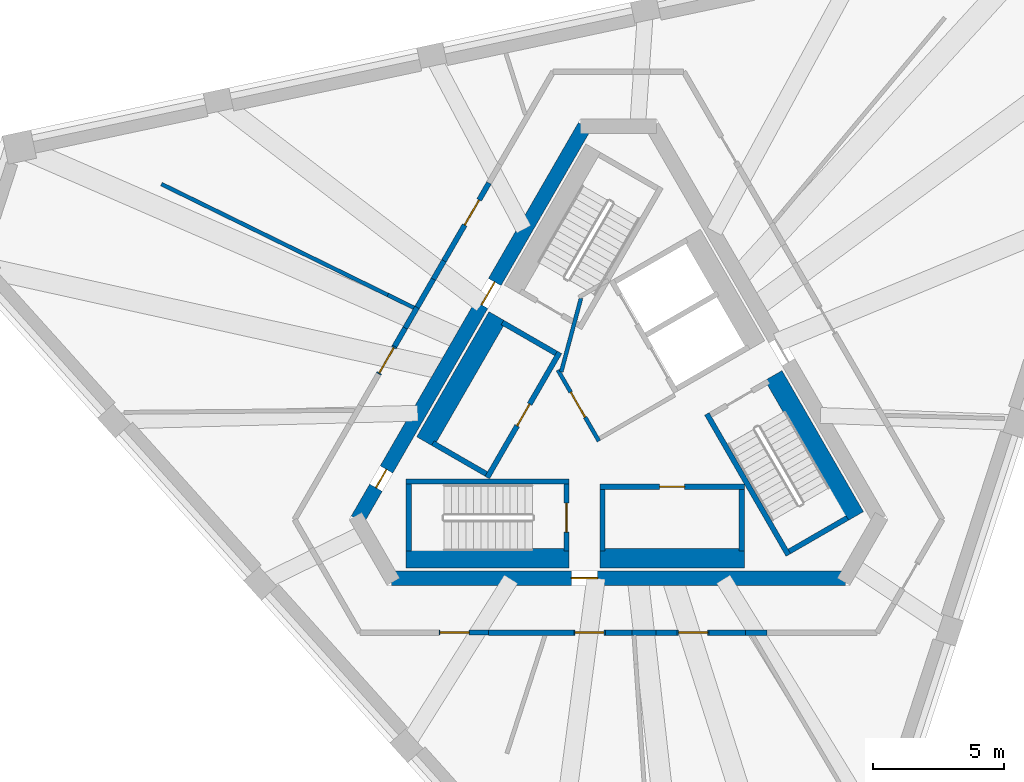
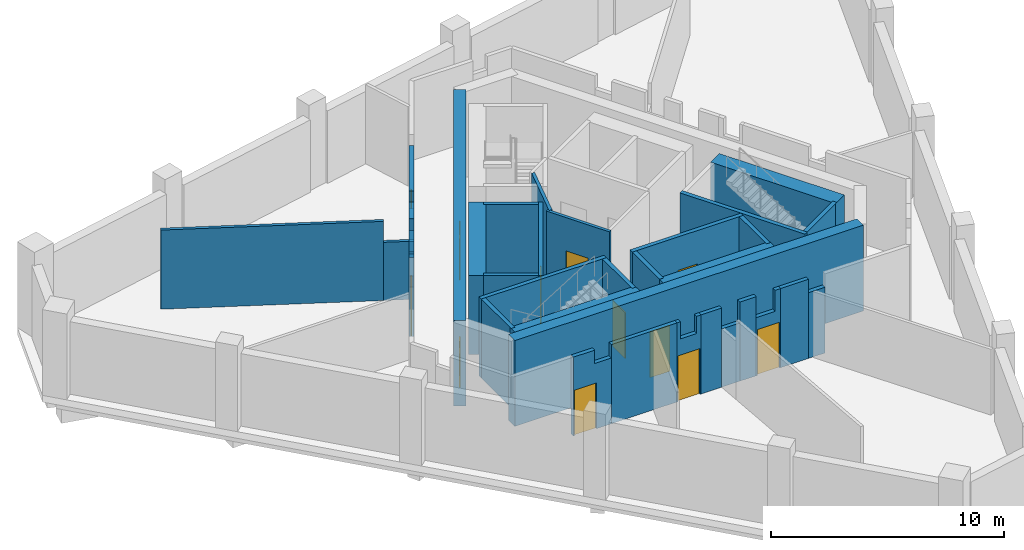
# One storey, part 2 of 5: 36 walls, 12 doors, 12 openings.
"""IFC4 building model written with IfcOpenShell, lengths in metres."""

import ifcopenshell
import ifcopenshell.guid

model = None  # the IFC model being written
_history = None  # IfcOwnerHistory: only IFC2X3 demands one
_inside = {}  # id of a spatial element -> (the spatial element, [elements in it])
_under = {}  # id of a project, library or spatial element -> (it, [spatial elements below it])
_declared = {}  # id of a project -> (the project, [libraries it declares])
_typed = {}  # id of a type object -> (the type object, [elements of that type])
_made_of = {}  # id of a material, layer set ... -> (it, [elements and type objects made of it])


def new_model(schema):
    """Start an empty IFC model of exactly this schema.

    Asked for "IFC4X3", IfcOpenShell would pick the latest addendum, in which some entities
    have other attributes; the version numbers below select the first issue.
    IFC2X3 requires an IfcOwnerHistory on every rooted entity: one is made here for all.
    """
    global model, _history
    if schema == "IFC4X3":
        model = ifcopenshell.file(schema_version=(4, 3, 0, 0))
    else:
        model = ifcopenshell.file(schema=schema)
    _inside.clear()
    _under.clear()
    _declared.clear()
    _typed.clear()
    _made_of.clear()
    _history = None
    if model.schema == "IFC2X3":
        org = make("IfcOrganization", Name="unknown")
        user = make(
            "IfcPersonAndOrganization",
            ThePerson=make("IfcPerson", FamilyName="unknown"),
            TheOrganization=org,
        )
        app = make(
            "IfcApplication",
            ApplicationDeveloper=org,
            Version="unknown",
            ApplicationFullName="unknown",
            ApplicationIdentifier="unknown",
        )
        _history = make(
            "IfcOwnerHistory",
            OwningUser=user,
            OwningApplication=app,
            ChangeAction="ADDED",
            CreationDate=0,
        )
    return model


def make(cls, **values):
    """One entity of the class cls with the attributes given. An attribute that is None is left unset."""
    return model.create_entity(
        cls, **{name: value for name, value in values.items() if value is not None}
    )


def rooted(cls, **values):
    """An entity with a GlobalId (a new one), such as an element, a storey or a relation."""
    return make(cls, GlobalId=ifcopenshell.guid.new(), OwnerHistory=_history, **values)


def si_unit(unit_type, name, prefix=None):
    """IfcSIUnit, for example si_unit("LENGTHUNIT", "METRE", prefix="MILLI")."""
    return make("IfcSIUnit", UnitType=unit_type, Prefix=prefix, Name=name)


def assignment(units):
    """IfcUnitAssignment: the units of a project."""
    return None if units is None else make("IfcUnitAssignment", Units=units)


def point(xyz):
    """IfcCartesianPoint."""
    return None if xyz is None else make("IfcCartesianPoint", Coordinates=xyz)


def direction(xyz):
    """IfcDirection."""
    return None if xyz is None else make("IfcDirection", DirectionRatios=xyz)


def frame(location, z_axis=None, x_axis=None):
    """IfcAxis2Placement3D, a coordinate frame: its origin and axes. An axis left out is left unset."""
    return make(
        "IfcAxis2Placement3D",
        Location=point(location),
        Axis=direction(z_axis),
        RefDirection=direction(x_axis),
    )


def frame_2d(location, x_axis=None):
    """IfcAxis2Placement2D, a coordinate frame in the plane: its origin and x axis."""
    return make(
        "IfcAxis2Placement2D", Location=point(location), RefDirection=direction(x_axis)
    )


def origin():
    """The frame at (0, 0, 0) with its axes left unset."""
    return frame((0.0, 0.0, 0.0))


def place(relative_to, where):
    """IfcLocalPlacement: puts the frame where relative to a parent placement (None: the world)."""
    return make(
        "IfcLocalPlacement", PlacementRelTo=relative_to, RelativePlacement=where
    )


def context(
    kind, dimensions, precision=None, world=None, true_north=None, identifier=None
):
    """IfcGeometricRepresentationContext, for example the 3D "Model" context."""
    return make(
        "IfcGeometricRepresentationContext",
        ContextIdentifier=identifier,
        ContextType=kind,
        CoordinateSpaceDimension=dimensions,
        Precision=precision,
        WorldCoordinateSystem=world,
        TrueNorth=true_north,
    )


def subcontext(parent, identifier, kind, view, scale=None):
    """IfcGeometricRepresentationSubContext, for example "Body" below "Model"."""
    return make(
        "IfcGeometricRepresentationSubContext",
        ContextIdentifier=identifier,
        ContextType=kind,
        ParentContext=parent,
        TargetScale=scale,
        TargetView=view,
    )


def project(units=None, contexts=None):
    """IfcProject with its units and contexts."""
    return rooted(
        "IfcProject",
        Name="project",
        RepresentationContexts=contexts,
        UnitsInContext=assignment(units),
    )


def spatial(cls, under=None, at=None, **own):
    """A site, building, storey or space (cls), placed at a placement, below another one or the project."""
    s = rooted(cls, ObjectPlacement=at, **own)
    if under is not None:
        _under.setdefault(under.id(), (under, []))[1].append(s)
    return s


def polyline(points):
    """IfcPolyline through the points."""
    return make("IfcPolyline", Points=[point(p) for p in points])


def profile(cls, at=None, kind="AREA", **sizes):
    """A parametric profile (cls). Its sizes go by their IFC names, for example OverallWidth=200.0."""
    return make(cls, ProfileType=kind, Position=at, **sizes)


def rectangle(**sizes):
    """IfcRectangleProfileDef."""
    return profile("IfcRectangleProfileDef", **sizes)


def outline(outer, holes=None, kind="AREA"):
    """IfcArbitraryClosedProfileDef: a profile drawn as a closed curve; with holes, ...WithVoids."""
    if holes is None:
        return make("IfcArbitraryClosedProfileDef", ProfileType=kind, OuterCurve=outer)
    return make(
        "IfcArbitraryProfileDefWithVoids",
        ProfileType=kind,
        OuterCurve=outer,
        InnerCurves=holes,
    )


def extrude(swept, where, along, depth):
    """IfcExtrudedAreaSolid: the profile swept, set in the frame where, extruded along a direction by depth."""
    return make(
        "IfcExtrudedAreaSolid",
        SweptArea=swept,
        Position=where,
        ExtrudedDirection=direction(along),
        Depth=depth,
    )


def shape(context_of_items, identifier, shape_type, items):
    """IfcShapeRepresentation: the items that make up one representation, for example the "Body"."""
    return make(
        "IfcShapeRepresentation",
        ContextOfItems=context_of_items,
        RepresentationIdentifier=identifier,
        RepresentationType=shape_type,
        Items=items,
    )


def material(Name=None, Category=None):
    """IfcMaterial."""
    return make("IfcMaterial", Name=Name, Category=Category)


def layer(
    of_material, thickness, ventilated=None, Name=None, Category=None, Priority=None
):
    """IfcMaterialLayer: one layer of a wall or slab, of a material (None: an air gap)."""
    return make(
        "IfcMaterialLayer",
        Material=of_material,
        LayerThickness=thickness,
        IsVentilated=ventilated,
        Name=Name,
        Category=Category,
        Priority=Priority,
    )


def layer_set(layers, Name=None):
    """IfcMaterialLayerSet."""
    return make("IfcMaterialLayerSet", MaterialLayers=layers, LayerSetName=Name)


def made_of(thing, what):
    """Note that an element or type object is made of a material, layer set ...; save() writes the relation."""
    if what is not None:
        _made_of.setdefault(what.id(), (what, []))[1].append(thing)
    return thing


def type_object(cls, material=None, **own):
    """A type object (cls), such as IfcWallType, which elements share."""
    return made_of(rooted(cls, **own), material)


def element(
    cls,
    number,
    at=None,
    inside=None,
    cuts=None,
    type_object=None,
    material=None,
    context=None,
    identifier="Body",
    shape_type=None,
    held_by="IfcProductDefinitionShape",
    body=None,
    shapes=None,
    **own,
):
    """One element of the class cls, such as IfcWall. Its Tag is "e" and its number.

    at: its placement. inside: the storey or other place that contains it. cuts: it is an
    opening in that element (IfcRelVoidsElement). A single representation is given by context,
    identifier, shape_type and body (its items); several are given by shapes. held_by: the class
    of the entity that holds the representations. save() writes the other relations.
    """
    e = rooted(cls, Tag="e%d" % number, ObjectPlacement=at, **own)
    if body is not None:
        shapes = [shape(context, identifier, shape_type, body)]
    if shapes is not None:
        e.Representation = make(held_by, Representations=shapes)
    if inside is not None:
        _inside.setdefault(inside.id(), (inside, []))[1].append(e)
    if cuts is not None:
        rooted(
            "IfcRelVoidsElement", RelatingBuildingElement=cuts, RelatedOpeningElement=e
        )
    if type_object is not None:
        _typed.setdefault(type_object.id(), (type_object, []))[1].append(e)
    return made_of(e, material)


def fill(opening, filler):
    """IfcRelFillsElement: the door or window that sits in an opening."""
    return rooted(
        "IfcRelFillsElement",
        RelatingOpeningElement=opening,
        RelatedBuildingElement=filler,
    )


def aggregate(whole, parts):
    """IfcRelAggregates: a whole, such as a stair, and the parts it consists of."""
    return rooted("IfcRelAggregates", RelatingObject=whole, RelatedObjects=parts)


def save(model, path):
    """Write the relations noted so far, then the file.

    IfcRelAggregates (storeys below a building ...), IfcRelContainedInSpatialStructure (elements
    in a storey), IfcRelDefinesByType, IfcRelAssociatesMaterial and IfcRelDeclares: one each for
    every whole, place, type object, material and project.
    """
    for whole, parts in _under.values():
        aggregate(whole, parts)
    for where, things in _inside.values():
        rooted(
            "IfcRelContainedInSpatialStructure",
            RelatedElements=things,
            RelatingStructure=where,
        )
    for kind, things in _typed.values():
        rooted("IfcRelDefinesByType", RelatedObjects=things, RelatingType=kind)
    for what, things in _made_of.values():
        rooted("IfcRelAssociatesMaterial", RelatedObjects=things, RelatingMaterial=what)
    for by, libraries in _declared.values():
        rooted("IfcRelDeclares", RelatingContext=by, RelatedDefinitions=libraries)
    model.write(path)


model = new_model("IFC4")

# Units and contexts
model_context = context("Model", 3, precision=1e-05, world=origin(), true_north=direction((0.0, 1.0)))
body_context = subcontext(model_context, "Body", "Model", "MODEL_VIEW")
ifc_project = project(units=[si_unit("LENGTHUNIT", "METRE"), si_unit("AREAUNIT", "SQUARE_METRE"), si_unit("VOLUMEUNIT", "CUBIC_METRE"), si_unit("PLANEANGLEUNIT", "RADIAN"), si_unit("MASSUNIT", "GRAM", prefix="KILO")], contexts=[model_context])

# Site, building, storey
site_placement = place(None, origin())
site = spatial("IfcSite", under=ifc_project, at=site_placement, CompositionType="ELEMENT")
building_placement = place(site_placement, origin())
building = spatial("IfcBuilding", under=site, at=building_placement, Name="Tramontana Tower", CompositionType="ELEMENT")
storey_placement = place(building_placement, frame((0.0, 0.0, 361.39990234375)))
storey = spatial("IfcBuildingStorey", under=building, at=storey_placement, Name="L83", CompositionType="ELEMENT", Elevation=361.39990234375)

# Wall, openings, doors
ifc_material_1 = material(Name="Concrete 70 MPa", Category="concrete")
ifc_layer_1 = layer(ifc_material_1, 0.550048828125)
ifc_layer_set_1 = layer_set([ifc_layer_1], Name="Core wall 550 70 MPa")
wall_type_1 = type_object("IfcWallType", Name="Core wall 550 70 MPa", PredefinedType="SHEAR", material=ifc_layer_set_1)
wall_1_placement = place(storey_placement, frame((-1.28466796875, 10.72509765625, 0.0), z_axis=(0.0, 0.0, 1.0), x_axis=(-0.499994590896, -0.86602852671, 0.0)))
wall_1 = element("IfcWall", 1, at=wall_1_placement, inside=storey, type_object=wall_type_1, Name="Core wall C1 L83", PredefinedType="SHEAR", context=body_context, shape_type="SweptSolid", body=[
    extrude(rectangle(XDim=17.291748046875, YDim=0.550048828125, at=frame_2d((8.64599609375, 0.0))), origin(), (0.0, 0.0, 1.0), 4.5),
])
opening_1_placement = place(wall_1_placement, frame((6.850830078125, 0.0, 0.0)))
opening_1 = element("IfcOpeningElement", 2, at=opening_1_placement, cuts=wall_1, Name="Opening RG1", PredefinedType="OPENING", context=body_context, shape_type="SweptSolid", body=[
    extrude(rectangle(XDim=1.0, YDim=2.39990234375, at=frame_2d((0.5, 1.199951171875))), frame((0.0, 0.284912109375, 0.0), z_axis=(0.0, -1.0, 0.0), x_axis=(1.0, 0.0, 0.0)), (0.0, 0.0, 1.0), 0.570068359375),
])
opening_2_placement = place(wall_1_placement, frame((15.0888671875, 0.0, 0.0)))
opening_2 = element("IfcOpeningElement", 3, at=opening_2_placement, cuts=wall_1, Name="Opening PD1", PredefinedType="OPENING", context=body_context, shape_type="SweptSolid", body=[
    extrude(rectangle(XDim=0.800048828125, YDim=2.10009765625, at=frame_2d((0.39990234375, 1.050048828125))), frame((0.0, 0.284912109375, 0.0), z_axis=(0.0, -1.0, 0.0), x_axis=(1.0, 0.0, 0.0)), (0.0, 0.0, 1.0), 0.570068359375),
])
ifc_material_2 = material(Name="Painted steel", Category="steel")
door_type_1 = type_object("IfcDoorType", Name="CUPBOARD DOOR 800", OperationType="SINGLE_SWING_LEFT", PredefinedType="DOOR", material=ifc_material_2)
door_1_placement = place(opening_2_placement, origin())
door_1 = element("IfcDoor", 4, at=door_1_placement, inside=storey, type_object=door_type_1, Name="Door PD1", OperationType="SINGLE_SWING_LEFT", OverallHeight=2.10009765625, OverallWidth=0.800048828125, PredefinedType="DOOR", context=body_context, shape_type="SweptSolid", body=[
    extrude(rectangle(XDim=0.800048828125, YDim=2.10009765625, at=frame_2d((0.39990234375, 1.050048828125))), frame((0.0, 0.02490234375, 0.0), z_axis=(0.0, -1.0, 0.0), x_axis=(1.0, 0.0, 0.0)), (0.0, 0.0, 1.0), 0.050048828125),
])
fill(opening_2, door_1)
ifc_material_3 = material(Name="Painted steel", Category="steel")
door_type_2 = type_object("IfcDoorType", Name="RING DOOR 1000", OperationType="SINGLE_SWING_LEFT", PredefinedType="DOOR", material=ifc_material_3)
door_2_placement = place(opening_1_placement, origin())
door_2 = element("IfcDoor", 5, at=door_2_placement, inside=storey, type_object=door_type_2, Name="Door RG1", OperationType="SINGLE_SWING_RIGHT", OverallHeight=2.39990234375, OverallWidth=1.0, PredefinedType="DOOR", context=body_context, shape_type="SweptSolid", body=[
    extrude(rectangle(XDim=1.0, YDim=2.39990234375, at=frame_2d((0.5, 1.199951171875))), frame((0.0, 0.02490234375, 0.0), z_axis=(0.0, -1.0, 0.0), x_axis=(1.0, 0.0, 0.0)), (0.0, 0.0, 1.0), 0.050048828125),
])
fill(opening_1, door_2)

# Wall, opening, door
wall_2_placement = place(storey_placement, frame((-8.645751953125, -6.47509765625, 0.0), z_axis=(0.0, 0.0, 1.0), x_axis=(1.0, 0.0, 0.0)))
wall_2 = element("IfcWall", 6, at=wall_2_placement, inside=storey, type_object=wall_type_1, Name="Core wall C3 L83", PredefinedType="SHEAR", context=body_context, shape_type="SweptSolid", body=[
    extrude(rectangle(XDim=17.29150390625, YDim=0.550048828125, at=frame_2d((8.645751953125, 0.0))), origin(), (0.0, 0.0, 1.0), 4.5),
])
opening_3_placement = place(wall_2_placement, frame((6.850830078125, 0.0, 0.0)))
opening_3 = element("IfcOpeningElement", 7, at=opening_3_placement, cuts=wall_2, Name="Opening RG2", PredefinedType="OPENING", context=body_context, shape_type="SweptSolid", body=[
    extrude(rectangle(XDim=1.0, YDim=2.39990234375, at=frame_2d((0.5, 1.199951171875))), frame((0.0, 0.284912109375, 0.0), z_axis=(0.0, -1.0, 0.0), x_axis=(1.0, 0.0, 0.0)), (0.0, 0.0, 1.0), 0.570068359375),
])
door_3_placement = place(opening_3_placement, origin())
door_3 = element("IfcDoor", 8, at=door_3_placement, inside=storey, type_object=door_type_2, Name="Door RG2", OperationType="SINGLE_SWING_LEFT", OverallHeight=2.39990234375, OverallWidth=1.0, PredefinedType="DOOR", context=body_context, shape_type="SweptSolid", body=[
    extrude(rectangle(XDim=1.0, YDim=2.39990234375, at=frame_2d((0.5, 1.199951171875))), frame((0.0, 0.02490234375, 0.0), z_axis=(0.0, -1.0, 0.0), x_axis=(1.0, 0.0, 0.0)), (0.0, 0.0, 1.0), 0.050048828125),
])
fill(opening_3, door_3)

# Walls
ifc_material_4 = material(Name="Blockwork", Category="masonry")
ifc_layer_2 = layer(ifc_material_4, 0.199951171875)
ifc_layer_set_2 = layer_set([ifc_layer_2], Name="ENTRY WALL 200")
wall_type_2 = type_object("IfcWallType", Name="ENTRY WALL 200", PredefinedType="SOLIDWALL", material=ifc_layer_set_2)
wall_3_placement = place(storey_placement, frame((5.6494140625, -8.550048828125, 0.0), z_axis=(0.0, 0.0, 1.0), x_axis=(-1.0, 0.0, 0.0)))
element("IfcWall", 9, at=wall_3_placement, inside=storey, type_object=wall_type_2, Name="Wall ew1-1", PredefinedType="SOLIDWALL", context=body_context, shape_type="SweptSolid", body=[
    extrude(rectangle(XDim=0.821044921875, YDim=0.199951171875, at=frame_2d((0.41064453125, 0.0))), origin(), (0.0, 0.0, 1.0), 3.4501953125),
])
wall_4_placement = place(storey_placement, frame((4.828369140625, -8.550048828125, 0.0), z_axis=(0.0, 0.0, 1.0), x_axis=(-1.0, 0.0, 0.0)))
element("IfcWall", 10, at=wall_4_placement, inside=storey, type_object=wall_type_2, Name="Wall ew1-2", PredefinedType="SOLIDWALL", context=body_context, shape_type="SweptSolid", body=[
    extrude(rectangle(XDim=1.384765625, YDim=0.199951171875, at=frame_2d((0.6923828125, 0.0))), origin(), (0.0, 0.0, 1.0), 4.150146484375),
])

# Wall, opening, door
wall_5_placement = place(storey_placement, frame((3.443603515625, -8.550048828125, 0.0), z_axis=(0.0, 0.0, 1.0), x_axis=(-1.0, 0.0, 0.0)))
wall_5 = element("IfcWall", 11, at=wall_5_placement, inside=storey, type_object=wall_type_2, Name="Wall ew1-3", PredefinedType="SOLIDWALL", context=body_context, shape_type="SweptSolid", body=[
    extrude(outline(polyline([(0.0, 0.0), (1.214599609375, 0.0), (1.214599609375, 3.050048828125), (0.270751953125, 3.050048828125), (0.270751953125, 4.150146484375), (0.0, 4.150146484375), (0.0, 0.0)])), frame((0.0, 0.10009765625, 0.0), z_axis=(0.0, -1.0, 0.0), x_axis=(1.0, 0.0, 0.0)), (0.0, 0.0, 1.0), 0.199951171875),
])
opening_4_placement = place(wall_5_placement, frame((0.050048828125, 0.0, 0.0)))
opening_4 = element("IfcOpeningElement", 12, at=opening_4_placement, cuts=wall_5, Name="Opening L83-07", PredefinedType="OPENING", context=body_context, shape_type="SweptSolid", body=[
    extrude(rectangle(XDim=1.10009765625, YDim=2.39990234375, at=frame_2d((0.550048828125, 1.199951171875))), frame((0.0, 0.10986328125, 0.0), z_axis=(0.0, -1.0, 0.0), x_axis=(1.0, 0.0, 0.0)), (0.0, 0.0, 1.0), 0.219970703125),
])
ifc_material_5 = material(Name="Painted timber", Category="wood")
door_type_3 = type_object("IfcDoorType", Name="DOOR ENTRY 1100", OperationType="SINGLE_SWING_LEFT", PredefinedType="DOOR", material=ifc_material_5)
door_4_placement = place(opening_4_placement, origin())
door_4 = element("IfcDoor", 13, at=door_4_placement, inside=storey, type_object=door_type_3, Name="Door L83-07", OperationType="SINGLE_SWING_RIGHT", OverallHeight=2.39990234375, OverallWidth=1.10009765625, PredefinedType="DOOR", context=body_context, shape_type="SweptSolid", body=[
    extrude(rectangle(XDim=1.10009765625, YDim=2.39990234375, at=frame_2d((0.550048828125, 1.199951171875))), frame((0.0, 0.02490234375, 0.0), z_axis=(0.0, -1.0, 0.0), x_axis=(1.0, 0.0, 0.0)), (0.0, 0.0, 1.0), 0.050048828125),
])
fill(opening_4, door_4)

# Walls
wall_6_placement = place(storey_placement, frame((2.22900390625, -8.550048828125, 0.0), z_axis=(0.0, 0.0, 1.0), x_axis=(-1.0, 0.0, 0.0)))
element("IfcWall", 14, at=wall_6_placement, inside=storey, type_object=wall_type_2, Name="Wall ew1-4", PredefinedType="SOLIDWALL", context=body_context, shape_type="SweptSolid", body=[
    extrude(rectangle(XDim=0.806640625, YDim=0.199951171875, at=frame_2d((0.4033203125, 0.0))), origin(), (0.0, 0.0, 1.0), 4.150146484375),
])
wall_7_placement = place(storey_placement, frame((1.42236328125, -8.550048828125, 0.0), z_axis=(0.0, 0.0, 1.0), x_axis=(-1.0, 0.0, 0.0)))
element("IfcWall", 15, at=wall_7_placement, inside=storey, type_object=wall_type_2, Name="Wall ew1-5", PredefinedType="SOLIDWALL", context=body_context, shape_type="SweptSolid", body=[
    extrude(rectangle(XDim=0.90576171875, YDim=0.199951171875, at=frame_2d((0.452880859375, 0.0))), origin(), (0.0, 0.0, 1.0), 3.050048828125),
])
wall_8_placement = place(storey_placement, frame((0.5166015625, -8.550048828125, 0.0), z_axis=(0.0, 0.0, 1.0), x_axis=(-1.0, 0.0, 0.0)))
element("IfcWall", 16, at=wall_8_placement, inside=storey, type_object=wall_type_2, Name="Wall ew1-6", PredefinedType="SOLIDWALL", context=body_context, shape_type="SweptSolid", body=[
    extrude(rectangle(XDim=1.01806640625, YDim=0.199951171875, at=frame_2d((0.509033203125, 0.0))), origin(), (0.0, 0.0, 1.0), 4.150146484375),
])

# Wall, opening, door
wall_9_placement = place(storey_placement, frame((-0.50146484375, -8.550048828125, 0.0), z_axis=(0.0, 0.0, 1.0), x_axis=(-1.0, 0.0, 0.0)))
wall_9 = element("IfcWall", 17, at=wall_9_placement, inside=storey, type_object=wall_type_2, Name="Wall ew1-7", PredefinedType="SOLIDWALL", context=body_context, shape_type="SweptSolid", body=[
    extrude(outline(polyline([(0.0, 0.0), (1.199951171875, 0.0), (1.199951171875, 4.150146484375), (1.027099609375, 4.150146484375), (1.027099609375, 3.25), (0.22021484375, 3.25), (0.22021484375, 4.150146484375), (0.0, 4.150146484375), (0.0, 0.0)])), frame((0.0, 0.10009765625, 0.0), z_axis=(0.0, -1.0, 0.0), x_axis=(1.0, 0.0, 0.0)), (0.0, 0.0, 1.0), 0.199951171875),
])
opening_5_placement = place(wall_9_placement, frame((0.050048828125, 0.0, 0.0)))
opening_5 = element("IfcOpeningElement", 18, at=opening_5_placement, cuts=wall_9, Name="Opening L83-06", PredefinedType="OPENING", context=body_context, shape_type="SweptSolid", body=[
    extrude(rectangle(XDim=1.10009765625, YDim=2.39990234375, at=frame_2d((0.550048828125, 1.199951171875))), frame((0.0, 0.10986328125, 0.0), z_axis=(0.0, -1.0, 0.0), x_axis=(1.0, 0.0, 0.0)), (0.0, 0.0, 1.0), 0.219970703125),
])
door_5_placement = place(opening_5_placement, origin())
door_5 = element("IfcDoor", 19, at=door_5_placement, inside=storey, type_object=door_type_3, Name="Door L83-06", OperationType="SINGLE_SWING_LEFT", OverallHeight=2.39990234375, OverallWidth=1.10009765625, PredefinedType="DOOR", context=body_context, shape_type="SweptSolid", body=[
    extrude(rectangle(XDim=1.10009765625, YDim=2.39990234375, at=frame_2d((0.550048828125, 1.199951171875))), frame((0.0, 0.02490234375, 0.0), z_axis=(0.0, -1.0, 0.0), x_axis=(1.0, 0.0, 0.0)), (0.0, 0.0, 1.0), 0.050048828125),
])
fill(opening_5, door_5)

# Wall
wall_10_placement = place(storey_placement, frame((-1.701416015625, -8.550048828125, 0.0), z_axis=(0.0, 0.0, 1.0), x_axis=(-1.0, 0.0, 0.0)))
element("IfcWall", 20, at=wall_10_placement, inside=storey, type_object=wall_type_2, Name="Wall ew1-8", PredefinedType="SOLIDWALL", context=body_context, shape_type="SweptSolid", body=[
    extrude(rectangle(XDim=3.250244140625, YDim=0.199951171875, at=frame_2d((1.625, 0.0))), origin(), (0.0, 0.0, 1.0), 4.150146484375),
])

# Wall, opening, door
wall_11_placement = place(storey_placement, frame((-6.837646484375, -8.550048828125, 0.0), z_axis=(0.0, 0.0, 1.0), x_axis=(1.0, 0.0, 0.0)))
wall_11 = element("IfcWall", 21, at=wall_11_placement, inside=storey, type_object=wall_type_2, Name="Wall ew1-9", PredefinedType="SOLIDWALL", context=body_context, shape_type="SweptSolid", body=[
    extrude(outline(polyline([(0.0, 0.0), (1.885986328125, 0.0), (1.885986328125, 3.4501953125), (1.0595703125, 3.4501953125), (1.0595703125, 4.150146484375), (0.0, 4.150146484375), (0.0, 0.0)])), frame((0.0, 0.10009765625, 0.0), z_axis=(0.0, -1.0, 0.0), x_axis=(1.0, 0.0, 0.0)), (0.0, 0.0, 1.0), 0.199951171875),
])
opening_6_placement = place(wall_11_placement, frame((0.050048828125, 0.0, 0.0)))
opening_6 = element("IfcOpeningElement", 22, at=opening_6_placement, cuts=wall_11, Name="Opening L83-05", PredefinedType="OPENING", context=body_context, shape_type="SweptSolid", body=[
    extrude(rectangle(XDim=1.10009765625, YDim=2.39990234375, at=frame_2d((0.550048828125, 1.199951171875))), frame((0.0, 0.10986328125, 0.0), z_axis=(0.0, -1.0, 0.0), x_axis=(1.0, 0.0, 0.0)), (0.0, 0.0, 1.0), 0.219970703125),
])
door_6_placement = place(opening_6_placement, origin())
door_6 = element("IfcDoor", 23, at=door_6_placement, inside=storey, type_object=door_type_3, Name="Door L83-05", OperationType="SINGLE_SWING_RIGHT", OverallHeight=2.39990234375, OverallWidth=1.10009765625, PredefinedType="DOOR", context=body_context, shape_type="SweptSolid", body=[
    extrude(rectangle(XDim=1.10009765625, YDim=2.39990234375, at=frame_2d((0.550048828125, 1.199951171875))), frame((0.0, 0.02490234375, 0.0), z_axis=(0.0, -1.0, 0.0), x_axis=(1.0, 0.0, 0.0)), (0.0, 0.0, 1.0), 0.050048828125),
])
fill(opening_6, door_6)

wall_12_placement = place(storey_placement, frame((-9.126220703125, 1.292724609375, 0.0), z_axis=(0.0, 0.0, 1.0), x_axis=(0.499966081581, 0.866044985707, 0.0)))
wall_12 = element("IfcWall", 24, at=wall_12_placement, inside=storey, type_object=wall_type_2, Name="Wall ew3-3", PredefinedType="SOLIDWALL", context=body_context, shape_type="SweptSolid", body=[
    extrude(outline(polyline([(0.0, 0.0), (1.21435546875, 0.0), (1.214599609375, 3.050048828125), (0.270751953125, 3.050048828125), (0.270751953125, 4.150146484375), (0.0, 4.150146484375), (0.0, 0.0)])), frame((0.0, 0.10009765625, 0.0), z_axis=(0.0, -1.0, 0.0), x_axis=(1.0, 0.0, 0.0)), (0.0, 0.0, 1.0), 0.199951171875),
])
opening_7_placement = place(wall_12_placement, frame((0.050048828125, 0.0, 0.0)))
opening_7 = element("IfcOpeningElement", 25, at=opening_7_placement, cuts=wall_12, Name="Opening L83-04", PredefinedType="OPENING", context=body_context, shape_type="SweptSolid", body=[
    extrude(rectangle(XDim=1.10009765625, YDim=2.39990234375, at=frame_2d((0.550048828125, 1.199951171875))), frame((0.0, 0.10986328125, 0.0), z_axis=(0.0, -1.0, 0.0), x_axis=(1.0, 0.0, 0.0)), (0.0, 0.0, 1.0), 0.219970703125),
])
door_7_placement = place(opening_7_placement, origin())
door_7 = element("IfcDoor", 26, at=door_7_placement, inside=storey, type_object=door_type_3, Name="Door L83-04", OperationType="SINGLE_SWING_LEFT", OverallHeight=2.39990234375, OverallWidth=1.10009765625, PredefinedType="DOOR", context=body_context, shape_type="SweptSolid", body=[
    extrude(rectangle(XDim=1.10009765625, YDim=2.39990234375, at=frame_2d((0.550048828125, 1.199951171875))), frame((0.0, 0.02490234375, 0.0), z_axis=(0.0, -1.0, 0.0), x_axis=(1.0, 0.0, 0.0)), (0.0, 0.0, 1.0), 0.050048828125),
])
fill(opening_7, door_7)

# Walls
wall_13_placement = place(storey_placement, frame((-8.51904296875, 2.344482421875, 0.0), z_axis=(0.0, 0.0, 1.0), x_axis=(0.499914554297, 0.866074730264, 0.0)))
element("IfcWall", 27, at=wall_13_placement, inside=storey, type_object=wall_type_2, Name="Wall ew3-4", PredefinedType="SOLIDWALL", context=body_context, shape_type="SweptSolid", body=[
    extrude(rectangle(XDim=0.806884765625, YDim=0.199951171875, at=frame_2d((0.4033203125, 0.0))), origin(), (0.0, 0.0, 1.0), 4.150146484375),
])
wall_14_placement = place(storey_placement, frame((-8.11572265625, 3.043212890625, 0.0), z_axis=(0.0, 0.0, 1.0), x_axis=(0.499994660107, 0.866028486751, 0.0)))
element("IfcWall", 28, at=wall_14_placement, inside=storey, type_object=wall_type_2, Name="Wall ew3-5", PredefinedType="SOLIDWALL", context=body_context, shape_type="SweptSolid", body=[
    extrude(rectangle(XDim=0.90576171875, YDim=0.199951171875, at=frame_2d((0.452880859375, 0.0))), origin(), (0.0, 0.0, 1.0), 3.050048828125),
])
wall_15_placement = place(storey_placement, frame((-7.662841796875, 3.82763671875, 0.0), z_axis=(0.0, 0.0, 1.0), x_axis=(0.499955681623, 0.866050989499, 0.0)))
element("IfcWall", 29, at=wall_15_placement, inside=storey, type_object=wall_type_2, Name="Wall ew3-6", PredefinedType="SOLIDWALL", context=body_context, shape_type="SweptSolid", body=[
    extrude(rectangle(XDim=1.23828125, YDim=0.199951171875, at=frame_2d((0.619140625, 0.0))), origin(), (0.0, 0.0, 1.0), 4.150146484375),
])
wall_16_placement = place(storey_placement, frame((-7.043701171875, 4.900146484375, 0.0), z_axis=(0.0, 0.0, 1.0), x_axis=(0.500141487433, 0.865943700565, 0.0)))
element("IfcWall", 30, at=wall_16_placement, inside=storey, type_object=wall_type_2, Name="Wall ew3-7", PredefinedType="SOLIDWALL", context=body_context, shape_type="SweptSolid", body=[
    extrude(rectangle(XDim=0.806884765625, YDim=0.199951171875, at=frame_2d((0.4033203125, 0.0))), origin(), (0.0, 0.0, 1.0), 3.25),
])

# Wall, opening, door
wall_17_placement = place(storey_placement, frame((-6.64013671875, 5.598876953125, 0.0), z_axis=(0.0, 0.0, 1.0), x_axis=(0.499989998285, 0.8660311782, 0.0)))
wall_17 = element("IfcWall", 31, at=wall_17_placement, inside=storey, type_object=wall_type_2, Name="Wall ew3-8", PredefinedType="SOLIDWALL", context=body_context, shape_type="SweptSolid", body=[
    extrude(rectangle(XDim=3.4228515625, YDim=0.199951171875, at=frame_2d((1.71142578125, 0.0))), origin(), (0.0, 0.0, 1.0), 4.150146484375),
])
opening_8_placement = place(wall_17_placement, frame((1.57373046875, 0.0, 0.0)))
opening_8 = element("IfcOpeningElement", 32, at=opening_8_placement, cuts=wall_17, Name="Opening L83-03", PredefinedType="OPENING", context=body_context, shape_type="SweptSolid", body=[
    extrude(rectangle(XDim=1.10009765625, YDim=2.39990234375, at=frame_2d((0.550048828125, 1.199951171875))), frame((0.0, 0.10986328125, 0.0), z_axis=(0.0, -1.0, 0.0), x_axis=(1.0, 0.0, 0.0)), (0.0, 0.0, 1.0), 0.219970703125),
])
door_8_placement = place(opening_8_placement, origin())
door_8 = element("IfcDoor", 33, at=door_8_placement, inside=storey, type_object=door_type_3, Name="Door L83-03", OperationType="SINGLE_SWING_RIGHT", OverallHeight=2.39990234375, OverallWidth=1.10009765625, PredefinedType="DOOR", context=body_context, shape_type="SweptSolid", body=[
    extrude(rectangle(XDim=1.10009765625, YDim=2.39990234375, at=frame_2d((0.550048828125, 1.199951171875))), frame((0.0, 0.02490234375, 0.0), z_axis=(0.0, -1.0, 0.0), x_axis=(1.0, 0.0, 0.0)), (0.0, 0.0, 1.0), 0.050048828125),
])
fill(opening_8, door_8)

ifc_material_6 = material(Name="Gypsum board partition")
ifc_layer_3 = layer(ifc_material_6, 0.14990234375)
ifc_layer_set_3 = layer_set([ifc_layer_3], Name="PARTITION 150")
wall_type_3 = type_object("IfcWallType", Name="PARTITION 150", PredefinedType="PARTITIONING", material=ifc_layer_set_3)
wall_18_placement = place(storey_placement, frame((-0.744140625, -1.260986328125, 0.0), z_axis=(0.0, 0.0, 1.0), x_axis=(-0.500004234368, 0.866022959057, 0.0)))
wall_18 = element("IfcWall", 34, at=wall_18_placement, inside=storey, type_object=wall_type_3, Name="Wall ff-front", PredefinedType="PARTITIONING", context=body_context, shape_type="SweptSolid", body=[
    extrude(rectangle(XDim=3.125, YDim=0.14990234375, at=frame_2d((1.5625, 0.0))), origin(), (0.0, 0.0, 1.0), 4.150146484375),
])
opening_9_placement = place(wall_18_placement, frame((1.050048828125, 0.0, 0.0)))
opening_9 = element("IfcOpeningElement", 35, at=opening_9_placement, cuts=wall_18, Name="Opening FD1", PredefinedType="OPENING", context=body_context, shape_type="SweptSolid", body=[
    extrude(rectangle(XDim=1.10009765625, YDim=2.39990234375, at=frame_2d((0.550048828125, 1.199951171875))), frame((0.0, 0.0849609375, 0.0), z_axis=(0.0, -1.0, 0.0), x_axis=(1.0, 0.0, 0.0)), (0.0, 0.0, 1.0), 0.169921875),
])
door_9_placement = place(opening_9_placement, origin())
door_9 = element("IfcDoor", 36, at=door_9_placement, inside=storey, type_object=door_type_3, Name="Door FD1", OperationType="SINGLE_SWING_LEFT", OverallHeight=2.39990234375, OverallWidth=1.10009765625, PredefinedType="DOOR", context=body_context, shape_type="SweptSolid", body=[
    extrude(rectangle(XDim=1.10009765625, YDim=2.39990234375, at=frame_2d((0.550048828125, 1.199951171875))), frame((0.0, 0.02490234375, 0.0), z_axis=(0.0, -1.0, 0.0), x_axis=(1.0, 0.0, 0.0)), (0.0, 0.0, 1.0), 0.050048828125),
])
fill(opening_9, door_9)

# Walls
wall_19_placement = place(storey_placement, frame((-2.177978515625, 1.372314453125, 0.0), z_axis=(0.0, 0.0, 1.0), x_axis=(0.258808958833, 0.96592852884, 0.0)))
element("IfcWall", 37, at=wall_19_placement, inside=storey, type_object=wall_type_3, Name="Wall ff-diag", PredefinedType="PARTITIONING", context=body_context, shape_type="SweptSolid", body=[
    extrude(rectangle(XDim=2.902587890625, YDim=0.14990234375, at=frame_2d((1.451171875, 0.0))), origin(), (0.0, 0.0, 1.0), 4.150146484375),
])
wall_20_placement = place(storey_placement, frame((-7.7861328125, 3.81396484375, 0.0), z_axis=(0.0, 0.0, 1.0), x_axis=(-0.898068056395, 0.439856528976, 0.0)))
element("IfcWall", 38, at=wall_20_placement, inside=storey, type_object=wall_type_3, Name="Wall fw-pw02-0", PredefinedType="PARTITIONING", context=body_context, shape_type="SweptSolid", body=[
    extrude(rectangle(XDim=1.10400390625, YDim=0.14990234375, at=frame_2d((0.552001953125, 0.0))), origin(), (0.0, 0.0, 1.0), 3.050048828125),
])
wall_21_placement = place(storey_placement, frame((-8.777587890625, 4.299560546875, 0.0), z_axis=(0.0, 0.0, 1.0), x_axis=(-0.898056553391, 0.439880014222, 0.0)))
element("IfcWall", 39, at=wall_21_placement, inside=storey, type_object=wall_type_3, Name="Wall fw-pw02-1", PredefinedType="PARTITIONING", context=body_context, shape_type="SweptSolid", body=[
    extrude(rectangle(XDim=9.593994140625, YDim=0.14990234375, at=frame_2d((4.796875, 0.0))), origin(), (0.0, 0.0, 1.0), 4.150146484375),
])
ifc_material_7 = material(Name="Concrete 70 MPa", Category="concrete")
ifc_layer_4 = layer(ifc_material_7, 0.75)
ifc_layer_set_4 = layer_set([ifc_layer_4], Name="Concrete 70 MPa, 750 mm")
wall_type_4 = type_object("IfcWallType", Name="RC SHAFT BACK WALL 750", PredefinedType="SOLIDWALL", material=ifc_layer_set_4)
wall_22_placement = place(storey_placement, frame((-8.080078125, -5.72509765625, 0.0), z_axis=(0.0, 0.0, 1.0), x_axis=(1.0, 0.0, 0.0)))
element("IfcWall", 40, at=wall_22_placement, inside=storey, type_object=wall_type_4, Name="Wall st2-back", PredefinedType="SOLIDWALL", context=body_context, shape_type="SweptSolid", body=[
    extrude(rectangle(XDim=6.2001953125, YDim=0.75, at=frame_2d((3.10009765625, 0.0))), origin(), (0.0, 0.0, 1.0), 4.150146484375),
])
wall_23_placement = place(storey_placement, frame((8.998046875, -4.135009765625, 0.0), z_axis=(0.0, 0.0, 1.0), x_axis=(-0.500009909098, 0.866019682689, 0.0)))
element("IfcWall", 41, at=wall_23_placement, inside=storey, type_object=wall_type_4, Name="Wall st3-back", PredefinedType="SOLIDWALL", context=body_context, shape_type="SweptSolid", body=[
    extrude(rectangle(XDim=6.199951171875, YDim=0.75, at=frame_2d((3.10009765625, 0.0))), origin(), (0.0, 0.0, 1.0), 4.150146484375),
])
wall_24_placement = place(storey_placement, frame((-4.60302734375, 3.477294921875, 0.0), z_axis=(0.0, 0.0, 1.0), x_axis=(-0.500015767406, -0.866016300277, 0.0)))
element("IfcWall", 42, at=wall_24_placement, inside=storey, type_object=wall_type_4, Name="Wall row0-back", PredefinedType="SOLIDWALL", context=body_context, shape_type="SweptSolid", body=[
    extrude(rectangle(XDim=5.499755859375, YDim=0.75, at=frame_2d((2.75, 0.0))), origin(), (0.0, 0.0, 1.0), 4.150146484375),
])
wall_25_placement = place(storey_placement, frame((-0.7099609375, -5.72509765625, 0.0), z_axis=(0.0, 0.0, 1.0), x_axis=(1.0, 0.0, 0.0)))
element("IfcWall", 43, at=wall_25_placement, inside=storey, type_object=wall_type_4, Name="Wall row1-back", PredefinedType="SOLIDWALL", context=body_context, shape_type="SweptSolid", body=[
    extrude(rectangle(XDim=5.5, YDim=0.75, at=frame_2d((2.75, 0.0))), origin(), (0.0, 0.0, 1.0), 4.150146484375),
])
ifc_material_8 = material(Name="Concrete 70 MPa", Category="concrete")
ifc_layer_5 = layer(ifc_material_8, 0.199951171875)
ifc_layer_set_5 = layer_set([ifc_layer_5], Name="Concrete 70 MPa, 200 mm")
wall_type_5 = type_object("IfcWallType", Name="RC STAIR AND SHAFT WALL 200", PredefinedType="SOLIDWALL", material=ifc_layer_set_5)
wall_26_placement = place(storey_placement, frame((-8.080078125, -2.800048828125, 0.0), z_axis=(0.0, 0.0, 1.0), x_axis=(1.0, 0.0, 0.0)))
element("IfcWall", 44, at=wall_26_placement, inside=storey, type_object=wall_type_5, Name="Wall st2-front", PredefinedType="SOLIDWALL", context=body_context, shape_type="SweptSolid", body=[
    extrude(rectangle(XDim=6.2001953125, YDim=0.199951171875, at=frame_2d((3.10009765625, 0.0))), origin(), (0.0, 0.0, 1.0), 4.150146484375),
])
wall_27_placement = place(storey_placement, frame((-7.97998046875, -2.89990234375, 0.0), z_axis=(0.0, 0.0, 1.0), x_axis=(0.0, -1.0, 0.0)))
element("IfcWall", 45, at=wall_27_placement, inside=storey, type_object=wall_type_5, Name="Wall st2-far", PredefinedType="SOLIDWALL", context=body_context, shape_type="SweptSolid", body=[
    extrude(rectangle(XDim=2.550048828125, YDim=0.199951171875, at=frame_2d((1.27490234375, 0.0))), origin(), (0.0, 0.0, 1.0), 4.150146484375),
])

# Wall, opening, door
wall_28_placement = place(storey_placement, frame((-1.97998046875, -2.89990234375, 0.0), z_axis=(0.0, 0.0, 1.0), x_axis=(0.0, -1.0, 0.0)))
wall_28 = element("IfcWall", 46, at=wall_28_placement, inside=storey, type_object=wall_type_5, Name="Wall st2-near", PredefinedType="SOLIDWALL", context=body_context, shape_type="SweptSolid", body=[
    extrude(rectangle(XDim=2.550048828125, YDim=0.199951171875, at=frame_2d((1.27490234375, 0.0))), origin(), (0.0, 0.0, 1.0), 4.150146484375),
])
opening_10_placement = place(wall_28_placement, frame((0.72509765625, 0.0, 0.0)))
opening_10 = element("IfcOpeningElement", 47, at=opening_10_placement, cuts=wall_28, Name="Opening SD2", PredefinedType="OPENING", context=body_context, shape_type="SweptSolid", body=[
    extrude(rectangle(XDim=1.10009765625, YDim=2.39990234375, at=frame_2d((0.550048828125, 1.199951171875))), frame((0.0, 0.10986328125, 0.0), z_axis=(0.0, -1.0, 0.0), x_axis=(1.0, 0.0, 0.0)), (0.0, 0.0, 1.0), 0.219970703125),
])
ifc_material_9 = material(Name="Painted steel", Category="steel")
door_type_4 = type_object("IfcDoorType", Name="STAIR DOOR 1100", OperationType="SINGLE_SWING_LEFT", PredefinedType="DOOR", material=ifc_material_9)
door_10_placement = place(opening_10_placement, origin())
door_10 = element("IfcDoor", 48, at=door_10_placement, inside=storey, type_object=door_type_4, Name="Door SD2", OperationType="SINGLE_SWING_LEFT", OverallHeight=2.39990234375, OverallWidth=1.10009765625, PredefinedType="DOOR", context=body_context, shape_type="SweptSolid", body=[
    extrude(rectangle(XDim=1.10009765625, YDim=2.39990234375, at=frame_2d((0.550048828125, 1.199951171875))), frame((0.0, 0.02490234375, 0.0), z_axis=(0.0, -1.0, 0.0), x_axis=(1.0, 0.0, 0.0)), (0.0, 0.0, 1.0), 0.050048828125),
])
fill(opening_10, door_10)

# Walls
wall_29_placement = place(storey_placement, frame((6.46484375, -5.597412109375, 0.0), z_axis=(0.0, 0.0, 1.0), x_axis=(-0.49998037582, 0.866036733513, 0.0)))
element("IfcWall", 49, at=wall_29_placement, inside=storey, type_object=wall_type_5, Name="Wall st3-front", PredefinedType="SOLIDWALL", context=body_context, shape_type="SweptSolid", body=[
    extrude(rectangle(XDim=6.199951171875, YDim=0.199951171875, at=frame_2d((3.10009765625, 0.0))), origin(), (0.0, 0.0, 1.0), 4.150146484375),
])
wall_30_placement = place(storey_placement, frame((6.50146484375, -5.4609375, 0.0), z_axis=(0.0, 0.0, 1.0), x_axis=(0.865989465428, 0.500062241894, 0.0)))
element("IfcWall", 50, at=wall_30_placement, inside=storey, type_object=wall_type_5, Name="Wall st3-far", PredefinedType="SOLIDWALL", context=body_context, shape_type="SweptSolid", body=[
    extrude(rectangle(XDim=2.550048828125, YDim=0.199951171875, at=frame_2d((1.27490234375, 0.0))), origin(), (0.0, 0.0, 1.0), 4.150146484375),
])

# Wall, opening, door
wall_31_placement = place(storey_placement, frame((-4.9931640625, -2.648193359375, 0.0), z_axis=(0.0, 0.0, 1.0), x_axis=(0.499996545922, 0.866027397988, 0.0)))
wall_31 = element("IfcWall", 51, at=wall_31_placement, inside=storey, type_object=wall_type_5, Name="Wall row0-front", PredefinedType="SOLIDWALL", context=body_context, shape_type="SweptSolid", body=[
    extrude(rectangle(XDim=5.5, YDim=0.199951171875, at=frame_2d((2.75, 0.0))), origin(), (0.0, 0.0, 1.0), 4.150146484375),
])
opening_11_placement = place(wall_31_placement, frame((2.27490234375, 0.0, 0.0)))
opening_11 = element("IfcOpeningElement", 52, at=opening_11_placement, cuts=wall_31, Name="Opening RD-0", PredefinedType="OPENING", context=body_context, shape_type="SweptSolid", body=[
    extrude(rectangle(XDim=0.949951171875, YDim=2.39990234375, at=frame_2d((0.47509765625, 1.199951171875))), frame((0.0, 0.10986328125, 0.0), z_axis=(0.0, -1.0, 0.0), x_axis=(1.0, 0.0, 0.0)), (0.0, 0.0, 1.0), 0.219970703125),
])
ifc_material_10 = material(Name="Painted timber", Category="wood")
door_type_5 = type_object("IfcDoorType", Name="DOOR ROOM 950", OperationType="SINGLE_SWING_LEFT", PredefinedType="DOOR", material=ifc_material_10)
door_11_placement = place(opening_11_placement, origin())
door_11 = element("IfcDoor", 53, at=door_11_placement, inside=storey, type_object=door_type_5, Name="Door RD-0", OperationType="SINGLE_SWING_LEFT", OverallHeight=2.39990234375, OverallWidth=0.949951171875, PredefinedType="DOOR", context=body_context, shape_type="SweptSolid", body=[
    extrude(rectangle(XDim=0.949951171875, YDim=2.39990234375, at=frame_2d((0.47509765625, 1.199951171875))), frame((0.0, 0.02490234375, 0.0), z_axis=(0.0, -1.0, 0.0), x_axis=(1.0, 0.0, 0.0)), (0.0, 0.0, 1.0), 0.050048828125),
])
fill(opening_11, door_11)

# Walls
wall_32_placement = place(storey_placement, frame((-2.379638671875, 2.078369140625, 0.0), z_axis=(0.0, 0.0, 1.0), x_axis=(-0.866061024631, 0.499938297808, 0.0)))
element("IfcWall", 54, at=wall_32_placement, inside=storey, type_object=wall_type_5, Name="Wall row0-side0", PredefinedType="SOLIDWALL", context=body_context, shape_type="SweptSolid", body=[
    extrude(rectangle(XDim=2.349853515625, YDim=0.199951171875, at=frame_2d((1.1748046875, 0.0))), origin(), (0.0, 0.0, 1.0), 4.150146484375),
])
wall_33_placement = place(storey_placement, frame((-5.02978515625, -2.51171875, 0.0), z_axis=(0.0, 0.0, 1.0), x_axis=(-0.866016039709, 0.500016218704, 0.0)))
element("IfcWall", 55, at=wall_33_placement, inside=storey, type_object=wall_type_5, Name="Wall row0-side2", PredefinedType="SOLIDWALL", context=body_context, shape_type="SweptSolid", body=[
    extrude(rectangle(XDim=2.35009765625, YDim=0.199951171875, at=frame_2d((1.175048828125, 0.0))), origin(), (0.0, 0.0, 1.0), 4.150146484375),
])

# Wall, opening, door
wall_34_placement = place(storey_placement, frame((4.7900390625, -3.0, 0.0), z_axis=(0.0, 0.0, 1.0), x_axis=(-1.0, 0.0, 0.0)))
wall_34 = element("IfcWall", 56, at=wall_34_placement, inside=storey, type_object=wall_type_5, Name="Wall row1-front", PredefinedType="SOLIDWALL", context=body_context, shape_type="SweptSolid", body=[
    extrude(rectangle(XDim=5.5, YDim=0.199951171875, at=frame_2d((2.75, 0.0))), origin(), (0.0, 0.0, 1.0), 4.150146484375),
])
opening_12_placement = place(wall_34_placement, frame((2.27490234375, 0.0, 0.0)))
opening_12 = element("IfcOpeningElement", 57, at=opening_12_placement, cuts=wall_34, Name="Opening RD-1", PredefinedType="OPENING", context=body_context, shape_type="SweptSolid", body=[
    extrude(rectangle(XDim=0.949951171875, YDim=2.39990234375, at=frame_2d((0.47509765625, 1.199951171875))), frame((0.0, 0.10986328125, 0.0), z_axis=(0.0, -1.0, 0.0), x_axis=(1.0, 0.0, 0.0)), (0.0, 0.0, 1.0), 0.219970703125),
])
door_12_placement = place(opening_12_placement, origin())
door_12 = element("IfcDoor", 58, at=door_12_placement, inside=storey, type_object=door_type_5, Name="Door RD-1", OperationType="SINGLE_SWING_RIGHT", OverallHeight=2.39990234375, OverallWidth=0.949951171875, PredefinedType="DOOR", context=body_context, shape_type="SweptSolid", body=[
    extrude(rectangle(XDim=0.949951171875, YDim=2.39990234375, at=frame_2d((0.47509765625, 1.199951171875))), frame((0.0, 0.02490234375, 0.0), z_axis=(0.0, -1.0, 0.0), x_axis=(1.0, 0.0, 0.0)), (0.0, 0.0, 1.0), 0.050048828125),
])
fill(opening_12, door_12)

# Walls
for number, where, z_axis, x_axis, name in (
    (59, (-0.610107421875, -3.10009765625, 0.0), (0.0, 0.0, 1.0), (0.0, -1.0, 0.0), "Wall row1-side0"),
    (60, (4.68994140625, -3.10009765625, 0.0), (0.0, 0.0, 1.0), (0.0, -1.0, 0.0), "Wall row1-side2"),
):
    element("IfcWall", number, at=place(storey_placement, frame(where, z_axis=z_axis, x_axis=x_axis)), inside=storey, type_object=wall_type_5, Name=name, PredefinedType="SOLIDWALL", context=body_context, shape_type="SweptSolid", body=[
        extrude(rectangle(XDim=2.349853515625, YDim=0.199951171875, at=frame_2d((1.1748046875, 0.0))), origin(), (0.0, 0.0, 1.0), 4.150146484375),
    ])

save(model, "model.ifc")
